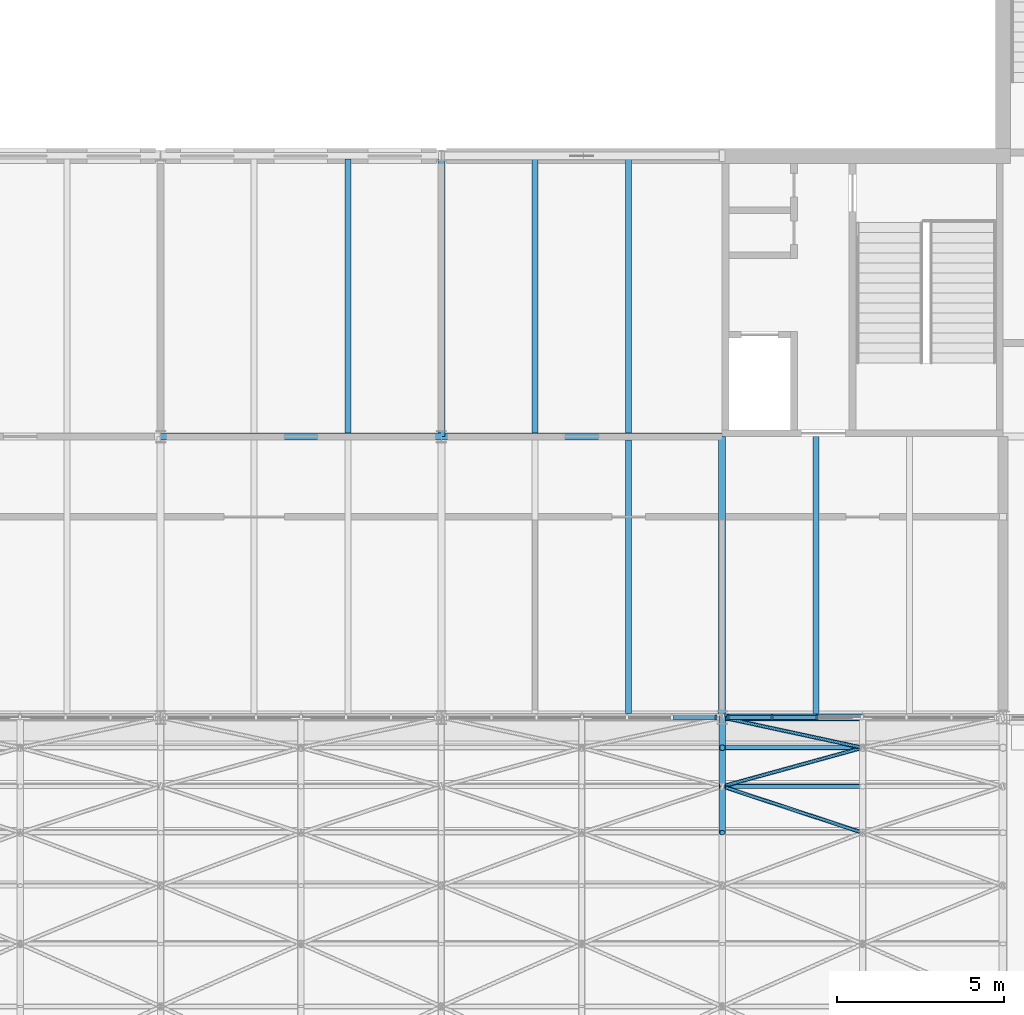
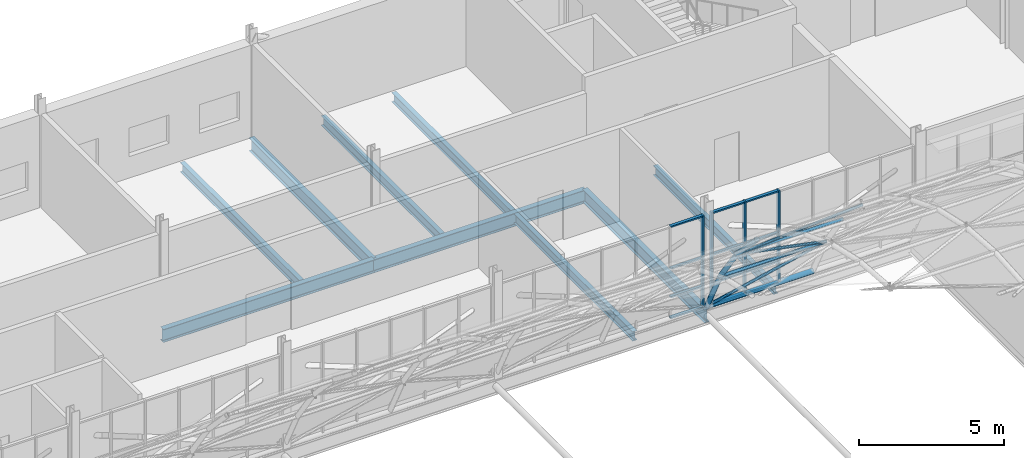
# One storey, part 56 of 121: 25 members, 9 beams, 2 elements without a shape of their own.
"""IFC4 building model written with IfcOpenShell, lengths in metres."""

from ifc_helpers import new_model, si_unit, direction, frame, origin, origin_2d, place, context, subcontext, project, spatial, rectangle, hollow_circle, i_section, extrude, material, layer, layer_set, material_profile, profile_set, type_object, element, aggregate, save


model = new_model("IFC4")

# Units and contexts
model_context = context("Model", 3, precision=1e-05, world=origin(), true_north=direction((0.0, 1.0)))
body_context = subcontext(model_context, "Body", "Model", "MODEL_VIEW")
ifc_project = project(units=[si_unit("LENGTHUNIT", "METRE"), si_unit("AREAUNIT", "SQUARE_METRE"), si_unit("VOLUMEUNIT", "CUBIC_METRE"), si_unit("PLANEANGLEUNIT", "RADIAN"), si_unit("MASSUNIT", "GRAM", prefix="KILO")], contexts=[model_context])

# Site, building, storey
site_placement = place(None, origin())
site = spatial("IfcSite", under=ifc_project, at=site_placement, CompositionType="ELEMENT")
building_placement = place(site_placement, origin())
building = spatial("IfcBuilding", under=site, at=building_placement, Name="Ardhachandra Cancer Care Centre", CompositionType="ELEMENT")
storey_placement = place(building_placement, frame((0.0, 0.0, 9.0)))
storey = spatial("IfcBuildingStorey", under=building, at=storey_placement, Name="L02", CompositionType="ELEMENT", Elevation=9.0)

# Beams
ifc_material_1 = material(Name="Steel E350 (IS 2062)", Category="steel")
ifc_material_profile_1 = material_profile(ifc_material_1, i_section(OverallWidth=0.179931640625, OverallDepth=0.39990234375, WebThickness=0.008544921875, FlangeThickness=0.013427734375, FilletRadius=0.02099609375, at=origin_2d()), Name="NPB 400x180x66.30")
ifc_profile_set_1 = profile_set([ifc_material_profile_1], Name="Steel E350 (IS 2062)")
beam_type_1 = type_object("IfcBeamType", Name="Beam NPB 400x180x66.30", PredefinedType="BEAM", material=ifc_profile_set_1)
for number, where, z_axis, x_axis, name in (
    (1, (92.0, 88.304931640625, -0.35009765625), (0.0, 1.0, 0.0), (-1.0, 0.0, 0.0), "Secondary K10-L10@5600"),
    (2, (97.60009765625, 88.304931640625, -0.35009765625), (0.0, 1.0, 0.0), (-1.0, 0.0, 0.0), "Secondary K11-L11@2800"),
):
    element("IfcBeam", number, at=place(storey_placement, frame(where, z_axis=z_axis, x_axis=x_axis)), inside=storey, type_object=beam_type_1, Name=name, PredefinedType="BEAM", context=body_context, shape_type="SweptSolid", body=[
        extrude(i_section(OverallWidth=0.179931640625, OverallDepth=0.39990234375, WebThickness=0.008544921875, FlangeThickness=0.013427734375, FilletRadius=0.02099609375, at=origin_2d()), origin(), (0.0, 0.0, 1.0), 8.195068359375),
    ])
beam_1_placement = place(storey_placement, frame((100.39990234375, 79.912109375, -0.35009765625), z_axis=(0.0, 1.0, 0.0), x_axis=(-1.0, 0.0, 0.0)))
element("IfcBeam", 3, at=beam_1_placement, inside=storey, type_object=beam_type_1, Name="Secondary J11-K11@5600", PredefinedType="BEAM", context=body_context, shape_type="SweptSolid", body=[
    extrude(i_section(OverallWidth=0.179931640625, OverallDepth=0.39990234375, WebThickness=0.008544921875, FlangeThickness=0.013427734375, FilletRadius=0.02099609375, at=origin_2d()), origin(), (0.0, 0.0, 1.0), 8.182861328125),
])
beam_2_placement = place(storey_placement, frame((100.39990234375, 88.304931640625, -0.35009765625), z_axis=(0.0, 1.0, 0.0), x_axis=(-1.0, 0.0, 0.0)))
element("IfcBeam", 4, at=beam_2_placement, inside=storey, type_object=beam_type_1, Name="Secondary K11-L11@5600", PredefinedType="BEAM", context=body_context, shape_type="SweptSolid", body=[
    extrude(i_section(OverallWidth=0.179931640625, OverallDepth=0.39990234375, WebThickness=0.008544921875, FlangeThickness=0.013427734375, FilletRadius=0.02099609375, at=origin_2d()), origin(), (0.0, 0.0, 1.0), 8.195068359375),
])
beam_3_placement = place(storey_placement, frame((106.0, 79.912109375, -0.35009765625), z_axis=(0.0, 1.0, 0.0), x_axis=(-1.0, 0.0, 0.0)))
element("IfcBeam", 5, at=beam_3_placement, inside=storey, type_object=beam_type_1, Name="Secondary J12-K12@2800", PredefinedType="BEAM", context=body_context, shape_type="SweptSolid", body=[
    extrude(i_section(OverallWidth=0.179931640625, OverallDepth=0.39990234375, WebThickness=0.008544921875, FlangeThickness=0.013427734375, FilletRadius=0.02099609375, at=origin_2d()), origin(), (0.0, 0.0, 1.0), 8.287841796875),
])
ifc_material_2 = material(Name="Steel E350 (IS 2062)", Category="steel")
ifc_material_profile_2 = material_profile(ifc_material_2, i_section(OverallWidth=0.2099609375, OverallDepth=0.550048828125, WebThickness=0.010986328125, FlangeThickness=0.01708984375, FilletRadius=0.02392578125, at=origin_2d()), Name="NPB 550x210x105.52")
ifc_profile_set_2 = profile_set([ifc_material_profile_2], Name="Steel E350 (IS 2062)")
beam_type_2 = type_object("IfcBeamType", Name="Beam NPB 550x210x105.52", PredefinedType="BEAM", material=ifc_profile_set_2)
beam_4_placement = place(storey_placement, frame((86.39990234375, 88.199951171875, -0.425048828125), z_axis=(1.0, 0.0, 0.0), x_axis=(0.0, 1.0, 0.0)))
element("IfcBeam", 6, at=beam_4_placement, inside=storey, type_object=beam_type_2, Name="Girder K10-K11", PredefinedType="BEAM", context=body_context, shape_type="SweptSolid", body=[
    extrude(i_section(OverallWidth=0.2099609375, OverallDepth=0.550048828125, WebThickness=0.010986328125, FlangeThickness=0.01708984375, FilletRadius=0.02392578125, at=origin_2d()), origin(), (0.0, 0.0, 1.0), 8.400146484375),
])
beam_5_placement = place(storey_placement, frame((94.800048828125, 88.199951171875, -0.425048828125), z_axis=(1.0, 0.0, 0.0), x_axis=(0.0, 1.0, 0.0)))
element("IfcBeam", 7, at=beam_5_placement, inside=storey, type_object=beam_type_2, Name="Girder K11-K12", PredefinedType="BEAM", context=body_context, shape_type="SweptSolid", body=[
    extrude(i_section(OverallWidth=0.2099609375, OverallDepth=0.550048828125, WebThickness=0.010986328125, FlangeThickness=0.01708984375, FilletRadius=0.02392578125, at=origin_2d()), origin(), (0.0, 0.0, 1.0), 8.39990234375),
])
beam_6_placement = place(storey_placement, frame((94.800048828125, 88.199951171875, -0.425048828125), z_axis=(0.0, 1.0, 0.0), x_axis=(-1.0, 0.0, 0.0)))
element("IfcBeam", 8, at=beam_6_placement, inside=storey, type_object=beam_type_2, Name="Girder K11-L11", PredefinedType="BEAM", context=body_context, shape_type="SweptSolid", body=[
    extrude(i_section(OverallWidth=0.2099609375, OverallDepth=0.550048828125, WebThickness=0.010986328125, FlangeThickness=0.01708984375, FilletRadius=0.02392578125, at=origin_2d()), origin(), (0.0, 0.0, 1.0), 8.400146484375),
])
beam_7_placement = place(storey_placement, frame((103.199951171875, 79.800048828125, -0.425048828125), z_axis=(0.0, 1.0, 0.0), x_axis=(-1.0, 0.0, 0.0)))
element("IfcBeam", 9, at=beam_7_placement, inside=storey, type_object=beam_type_2, Name="Girder J12-K12", PredefinedType="BEAM", context=body_context, shape_type="SweptSolid", body=[
    extrude(i_section(OverallWidth=0.2099609375, OverallDepth=0.550048828125, WebThickness=0.010986328125, FlangeThickness=0.01708984375, FilletRadius=0.02392578125, at=origin_2d()), origin(), (0.0, 0.0, 1.0), 8.39990234375),
])

# Curtain wall, member
ifc_material_3 = material(Name="Aluminium extrusion", Category="aluminium")
ifc_layer = layer(ifc_material_3, 0.14990234375)
ifc_layer_set = layer_set([ifc_layer], Name="Aluminium extrusion")
curtain_wall_type = type_object("IfcCurtainWallType", Name="Curtain wall run", PredefinedType="NOTDEFINED", material=ifc_layer_set)
curtain_wall_1_placement = place(storey_placement, origin())
curtain_wall_1 = element("IfcCurtainWall", 10, at=curtain_wall_1_placement, inside=storey, type_object=curtain_wall_type, Name="Curtain wall L02 s/0094800_0079800", PredefinedType="NOTDEFINED")
ifc_material_4 = material(Name="Aluminium extrusion", Category="aluminium")
ifc_material_profile_3 = material_profile(ifc_material_4, rectangle(XDim=0.159912109375, YDim=0.06005859375, at=origin_2d()), Name="Curtain wall mullion 60 x 160")
ifc_profile_set_3 = profile_set([ifc_material_profile_3], Name="Aluminium extrusion")
member_type_1 = type_object("IfcMemberType", Name="Curtain wall mullion 60 x 160", PredefinedType="MULLION", material=ifc_profile_set_3)
member_1_placement = place(storey_placement, frame((103.02001953125, 79.800048828125, 0.0), z_axis=(0.0, 0.0, 1.0), x_axis=(0.0, 1.0, 0.0)))
member_1 = element("IfcMember", 11, at=member_1_placement, type_object=member_type_1, Name="CW mullion 7", PredefinedType="MULLION", context=body_context, shape_type="SweptSolid", body=[
    extrude(rectangle(XDim=0.159912109375, YDim=0.06005859375, at=origin_2d()), origin(), (0.0, 0.0, 1.0), 3.885986328125),
])

# Curtain wall, members
curtain_wall_2_placement = place(storey_placement, origin())
curtain_wall_2 = element("IfcCurtainWall", 12, at=curtain_wall_2_placement, inside=storey, type_object=curtain_wall_type, Name="Curtain wall L02 s/0103200_0079800", PredefinedType="NOTDEFINED")
member_2_placement = place(storey_placement, frame((103.3798828125, 79.800048828125, 0.0), z_axis=(0.0, 0.0, 1.0), x_axis=(0.0, 1.0, 0.0)))
member_2 = element("IfcMember", 13, at=member_2_placement, type_object=member_type_1, Name="CW mullion 1", PredefinedType="MULLION", context=body_context, shape_type="SweptSolid", body=[
    extrude(rectangle(XDim=0.159912109375, YDim=0.06005859375, at=origin_2d()), origin(), (0.0, 0.0, 1.0), 3.885986328125),
])
member_3_placement = place(storey_placement, frame((104.692138671875, 79.800048828125, 0.0), z_axis=(0.0, 0.0, 1.0), x_axis=(0.0, 1.0, 0.0)))
member_3 = element("IfcMember", 14, at=member_3_placement, type_object=member_type_1, Name="CW mullion 2", PredefinedType="MULLION", context=body_context, shape_type="SweptSolid", body=[
    extrude(rectangle(XDim=0.159912109375, YDim=0.06005859375, at=origin_2d()), origin(), (0.0, 0.0, 1.0), 3.885986328125),
])
member_4_placement = place(storey_placement, frame((106.0341796875, 79.800048828125, 0.0), z_axis=(0.0, 0.0, 1.0), x_axis=(0.0, 1.0, 0.0)))
member_4 = element("IfcMember", 15, at=member_4_placement, type_object=member_type_1, Name="CW mullion 3", PredefinedType="MULLION", context=body_context, shape_type="SweptSolid", body=[
    extrude(rectangle(XDim=0.159912109375, YDim=0.06005859375, at=origin_2d()), origin(), (0.0, 0.0, 1.0), 3.885986328125),
])

# Member
ifc_material_5 = material(Name="Aluminium extrusion", Category="aluminium")
ifc_material_profile_4 = material_profile(ifc_material_5, rectangle(XDim=0.1201171875, YDim=0.06005859375, at=origin_2d()), Name="Curtain wall transom 60 x 120")
ifc_profile_set_4 = profile_set([ifc_material_profile_4], Name="Aluminium extrusion")
member_type_2 = type_object("IfcMemberType", Name="Curtain wall transom 60 x 120", PredefinedType="USERDEFINED", material=ifc_profile_set_4)
member_5_placement = place(storey_placement, frame((101.72998046875, 79.800048828125, 0.030029296875), z_axis=(1.0, 0.0, 0.0), x_axis=(0.0, 1.0, 0.0)))
member_5 = element("IfcMember", 16, at=member_5_placement, type_object=member_type_2, Name="CW transom 6.1", ObjectType="TRANSOM", PredefinedType="USERDEFINED", context=body_context, shape_type="SweptSolid", body=[
    extrude(rectangle(XDim=0.1201171875, YDim=0.06005859375, at=origin_2d()), origin(), (0.0, 0.0, 1.0), 1.260009765625),
])

member_6_placement = place(storey_placement, frame((101.72998046875, 79.800048828125, 0.89990234375), z_axis=(1.0, 0.0, 0.0), x_axis=(0.0, 1.0, 0.0)))
member_6 = element("IfcMember", 17, at=member_6_placement, type_object=member_type_2, Name="CW transom 6.2", ObjectType="TRANSOM", PredefinedType="USERDEFINED", context=body_context, shape_type="SweptSolid", body=[
    extrude(rectangle(XDim=0.1201171875, YDim=0.06005859375, at=origin_2d()), origin(), (0.0, 0.0, 1.0), 1.260009765625),
])

member_7_placement = place(storey_placement, frame((101.72998046875, 79.800048828125, 2.10009765625), z_axis=(1.0, 0.0, 0.0), x_axis=(0.0, 1.0, 0.0)))
member_7 = element("IfcMember", 18, at=member_7_placement, type_object=member_type_2, Name="CW transom 6.3", ObjectType="TRANSOM", PredefinedType="USERDEFINED", context=body_context, shape_type="SweptSolid", body=[
    extrude(rectangle(XDim=0.1201171875, YDim=0.06005859375, at=origin_2d()), origin(), (0.0, 0.0, 1.0), 1.260009765625),
])

member_8_placement = place(storey_placement, frame((101.72998046875, 79.800048828125, 3.85595703125), z_axis=(1.0, 0.0, 0.0), x_axis=(0.0, 1.0, 0.0)))
member_8 = element("IfcMember", 19, at=member_8_placement, type_object=member_type_2, Name="CW transom 6.4", ObjectType="TRANSOM", PredefinedType="USERDEFINED", context=body_context, shape_type="SweptSolid", body=[
    extrude(rectangle(XDim=0.1201171875, YDim=0.06005859375, at=origin_2d()), origin(), (0.0, 0.0, 1.0), 1.260009765625),
])

aggregate(curtain_wall_1, [member_1, member_5, member_6, member_7, member_8])

member_9_placement = place(storey_placement, frame((103.409912109375, 79.800048828125, 0.030029296875), z_axis=(1.0, 0.0, 0.0), x_axis=(0.0, 1.0, 0.0)))
member_9 = element("IfcMember", 20, at=member_9_placement, type_object=member_type_2, Name="CW transom 1.1", ObjectType="TRANSOM", PredefinedType="USERDEFINED", context=body_context, shape_type="SweptSolid", body=[
    extrude(rectangle(XDim=0.1201171875, YDim=0.06005859375, at=origin_2d()), origin(), (0.0, 0.0, 1.0), 1.252197265625),
])

member_10_placement = place(storey_placement, frame((103.409912109375, 79.800048828125, 0.89990234375), z_axis=(1.0, 0.0, 0.0), x_axis=(0.0, 1.0, 0.0)))
member_10 = element("IfcMember", 21, at=member_10_placement, type_object=member_type_2, Name="CW transom 1.2", ObjectType="TRANSOM", PredefinedType="USERDEFINED", context=body_context, shape_type="SweptSolid", body=[
    extrude(rectangle(XDim=0.1201171875, YDim=0.06005859375, at=origin_2d()), origin(), (0.0, 0.0, 1.0), 1.252197265625),
])

member_11_placement = place(storey_placement, frame((103.409912109375, 79.800048828125, 2.10009765625), z_axis=(1.0, 0.0, 0.0), x_axis=(0.0, 1.0, 0.0)))
member_11 = element("IfcMember", 22, at=member_11_placement, type_object=member_type_2, Name="CW transom 1.3", ObjectType="TRANSOM", PredefinedType="USERDEFINED", context=body_context, shape_type="SweptSolid", body=[
    extrude(rectangle(XDim=0.1201171875, YDim=0.06005859375, at=origin_2d()), origin(), (0.0, 0.0, 1.0), 1.252197265625),
])

member_12_placement = place(storey_placement, frame((103.409912109375, 79.800048828125, 3.85595703125), z_axis=(1.0, 0.0, 0.0), x_axis=(0.0, 1.0, 0.0)))
member_12 = element("IfcMember", 23, at=member_12_placement, type_object=member_type_2, Name="CW transom 1.4", ObjectType="TRANSOM", PredefinedType="USERDEFINED", context=body_context, shape_type="SweptSolid", body=[
    extrude(rectangle(XDim=0.1201171875, YDim=0.06005859375, at=origin_2d()), origin(), (0.0, 0.0, 1.0), 1.252197265625),
])

member_13_placement = place(storey_placement, frame((104.72216796875, 79.800048828125, 0.030029296875), z_axis=(1.0, 0.0, 0.0), x_axis=(0.0, 1.0, 0.0)))
member_13 = element("IfcMember", 24, at=member_13_placement, type_object=member_type_2, Name="CW transom 2.1", ObjectType="TRANSOM", PredefinedType="USERDEFINED", context=body_context, shape_type="SweptSolid", body=[
    extrude(rectangle(XDim=0.1201171875, YDim=0.06005859375, at=origin_2d()), origin(), (0.0, 0.0, 1.0), 1.281982421875),
])

member_14_placement = place(storey_placement, frame((104.72216796875, 79.800048828125, 0.89990234375), z_axis=(1.0, 0.0, 0.0), x_axis=(0.0, 1.0, 0.0)))
member_14 = element("IfcMember", 25, at=member_14_placement, type_object=member_type_2, Name="CW transom 2.2", ObjectType="TRANSOM", PredefinedType="USERDEFINED", context=body_context, shape_type="SweptSolid", body=[
    extrude(rectangle(XDim=0.1201171875, YDim=0.06005859375, at=origin_2d()), origin(), (0.0, 0.0, 1.0), 1.281982421875),
])

member_15_placement = place(storey_placement, frame((104.72216796875, 79.800048828125, 2.10009765625), z_axis=(1.0, 0.0, 0.0), x_axis=(0.0, 1.0, 0.0)))
member_15 = element("IfcMember", 26, at=member_15_placement, type_object=member_type_2, Name="CW transom 2.3", ObjectType="TRANSOM", PredefinedType="USERDEFINED", context=body_context, shape_type="SweptSolid", body=[
    extrude(rectangle(XDim=0.1201171875, YDim=0.06005859375, at=origin_2d()), origin(), (0.0, 0.0, 1.0), 1.281982421875),
])

member_16_placement = place(storey_placement, frame((104.72216796875, 79.800048828125, 3.85595703125), z_axis=(1.0, 0.0, 0.0), x_axis=(0.0, 1.0, 0.0)))
member_16 = element("IfcMember", 27, at=member_16_placement, type_object=member_type_2, Name="CW transom 2.4", ObjectType="TRANSOM", PredefinedType="USERDEFINED", context=body_context, shape_type="SweptSolid", body=[
    extrude(rectangle(XDim=0.1201171875, YDim=0.06005859375, at=origin_2d()), origin(), (0.0, 0.0, 1.0), 1.281982421875),
])

aggregate(curtain_wall_2, [member_2, member_3, member_4, member_9, member_10, member_11, member_12, member_13, member_14, member_15, member_16])

# Members
ifc_material_6 = material(Name="Steel E350 (IS 2062)", Category="steel")
ifc_material_profile_5 = material_profile(ifc_material_6, hollow_circle(Radius=0.05712890625, WallThickness=0.0048828125, at=origin_2d()), Name="CHS 114.3x5.0")
ifc_profile_set_5 = profile_set([ifc_material_profile_5], Name="Steel E350 (IS 2062)")
member_type_3 = type_object("IfcMemberType", Name="Hall shell Diagonal CHS 114.3x5.0", PredefinedType="BRACE", material=ifc_profile_set_5)
for number, where, z_axis, x_axis, name in (
    (28, (107.39990234375, 76.353515625, 4.8759765625), (-0.902457097304, 0.297496610987, -0.311555699639), (-0.313079224057, -0.949727013128, 0.0), "Hall shell diagonal 15-13"),
    (29, (103.199951171875, 77.738037109375, 3.426025390625), (0.902461325562, 0.248605721202, -0.351793620253), (-0.265582388334, 0.964088167652, 0.0), "Hall shell diagonal 14-14"),
    (30, (107.39990234375, 78.89501953125, 1.788818359375), (-0.902463534711, 0.194467960424, -0.384371930409), (-0.210650483477, -0.977561442474, 0.0), "Hall shell diagonal 15-15"),
):
    element("IfcMember", number, at=place(storey_placement, frame(where, z_axis=z_axis, x_axis=x_axis)), inside=storey, type_object=member_type_3, Name=name, PredefinedType="BRACE", context=body_context, shape_type="SweptSolid", body=[
        extrude(hollow_circle(Radius=0.05712890625, WallThickness=0.0048828125, at=origin_2d()), origin(), (0.0, 0.0, 1.0), 4.65380859375),
    ])
ifc_material_7 = material(Name="Steel E350 (IS 2062)", Category="steel")
ifc_material_profile_6 = material_profile(ifc_material_7, hollow_circle(Radius=0.06982421875, WallThickness=0.0048828125, at=origin_2d()), Name="CHS 139.7x5.0")
ifc_profile_set_6 = profile_set([ifc_material_profile_6], Name="Steel E350 (IS 2062)")
member_type_4 = type_object("IfcMemberType", Name="Hall shell Purlin CHS 139.7x5.0", PredefinedType="PURLIN", material=ifc_profile_set_6)
for number, where, z_axis, x_axis, name in (
    (31, (103.199951171875, 77.738037109375, 3.426025390625), (1.0, 0.0, 0.0), (0.0, 1.0, 0.0), "Hall shell purlin 14-14"),
    (32, (103.199951171875, 78.89501953125, 1.788818359375), (1.0, 0.0, 0.0), (0.0, 1.0, 0.0), "Hall shell purlin 14-15"),
):
    element("IfcMember", number, at=place(storey_placement, frame(where, z_axis=z_axis, x_axis=x_axis)), inside=storey, type_object=member_type_4, Name=name, PredefinedType="PURLIN", context=body_context, shape_type="SweptSolid", body=[
        extrude(hollow_circle(Radius=0.06982421875, WallThickness=0.0048828125, at=origin_2d()), origin(), (0.0, 0.0, 1.0), 4.199951171875),
    ])
ifc_material_8 = material(Name="Steel E350 (IS 2062)", Category="steel")
ifc_material_profile_7 = material_profile(ifc_material_8, hollow_circle(Radius=0.109619140625, WallThickness=0.008056640625, at=origin_2d()), Name="CHS 219.1x8.0")
ifc_profile_set_7 = profile_set([ifc_material_profile_7], Name="Steel E350 (IS 2062)")
member_type_5 = type_object("IfcMemberType", Name="Hall shell Purlin CHS 219.1x8.0", PredefinedType="PURLIN", material=ifc_profile_set_7)
member_17_placement = place(storey_placement, frame((103.199951171875, 79.800048828125, 0.0), z_axis=(1.0, 0.0, 0.0), x_axis=(0.0, 1.0, 0.0)))
element("IfcMember", 33, at=member_17_placement, inside=storey, type_object=member_type_5, Name="Hall shell purlin 14-16", PredefinedType="PURLIN", context=body_context, shape_type="SweptSolid", body=[
    extrude(hollow_circle(Radius=0.109619140625, WallThickness=0.008056640625, at=origin_2d()), origin(), (0.0, 0.0, 1.0), 4.199951171875),
])
ifc_material_9 = material(Name="Steel E350 (IS 2062)", Category="steel")
ifc_material_profile_8 = material_profile(ifc_material_9, hollow_circle(Radius=0.096923828125, WallThickness=0.008056640625, at=origin_2d()), Name="CHS 193.7x8.0")
ifc_profile_set_8 = profile_set([ifc_material_profile_8], Name="Steel E350 (IS 2062)")
member_type_6 = type_object("IfcMemberType", Name="Hall shell Rib CHS 193.7x8.0", PredefinedType="RAFTER", material=ifc_profile_set_8)
member_18_placement = place(storey_placement, frame((103.199951171875, 76.353515625, 4.8759765625), z_axis=(0.0, 0.690600278641, -0.723236652239), x_axis=(-1.0, 0.0, 0.0)))
element("IfcMember", 34, at=member_18_placement, inside=storey, type_object=member_type_6, Name="Hall shell rib 14-13", PredefinedType="RAFTER", context=body_context, shape_type="SweptSolid", body=[
    extrude(hollow_circle(Radius=0.096923828125, WallThickness=0.008056640625, at=origin_2d()), origin(), (0.0, 0.0, 1.0), 2.0048828125),
])
for number, where, z_axis, x_axis, name in (
    (35, (103.199951171875, 77.738037109375, 3.426025390625), (0.0, 0.577118207202, -0.816660624076), (-1.0, 0.0, 0.0), "Hall shell rib 14-14"),
    (36, (103.199951171875, 78.89501953125, 1.788818359375), (0.0, 0.451446595645, -0.892298140355), (-1.0, 0.0, 0.0), "Hall shell rib 14-15"),
):
    element("IfcMember", number, at=place(storey_placement, frame(where, z_axis=z_axis, x_axis=x_axis)), inside=storey, type_object=member_type_6, Name=name, PredefinedType="RAFTER", context=body_context, shape_type="SweptSolid", body=[
        extrude(hollow_circle(Radius=0.096923828125, WallThickness=0.008056640625, at=origin_2d()), origin(), (0.0, 0.0, 1.0), 2.004638671875),
    ])

save(model, "model.ifc")
